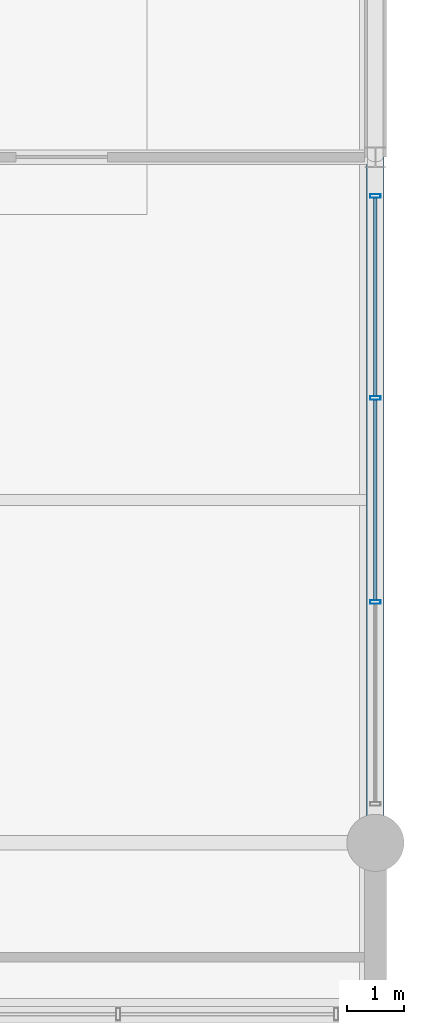
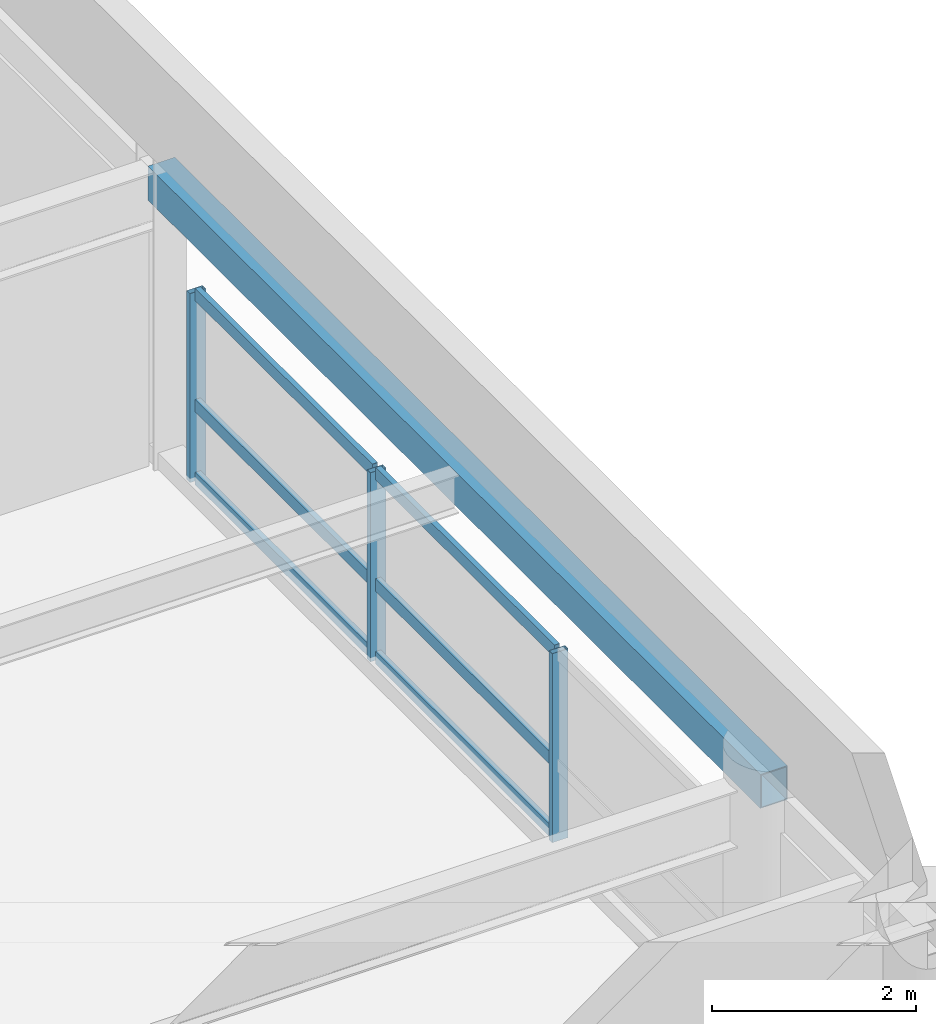
# One storey, part 76 of 108: 9 members, 1 beam, 1 element without a shape of its own.
"""IFC4 building model written with IfcOpenShell, lengths in metres."""

from ifc_helpers import new_model, si_unit, direction, frame, origin, origin_2d, place, context, subcontext, project, spatial, hollow_rectangle, extrude, material, material_profile, profile_set, type_object, element, aggregate, save


model = new_model("IFC4")

# Units and contexts
model_context = context("Model", 3, precision=1e-05, world=origin(), true_north=direction((0.0, 1.0)))
body_context = subcontext(model_context, "Body", "Model", "MODEL_VIEW")
ifc_project = project(units=[si_unit("LENGTHUNIT", "METRE"), si_unit("AREAUNIT", "SQUARE_METRE"), si_unit("VOLUMEUNIT", "CUBIC_METRE"), si_unit("PLANEANGLEUNIT", "RADIAN"), si_unit("MASSUNIT", "GRAM", prefix="KILO")], contexts=[model_context])

# Site, building, storey
site_placement = place(None, origin())
site = spatial("IfcSite", under=ifc_project, at=site_placement, CompositionType="ELEMENT")
building_placement = place(site_placement, origin())
building = spatial("IfcBuilding", under=site, at=building_placement, Name="Kaldorvane Square Convention Centre", CompositionType="ELEMENT")
storey_placement = place(building_placement, frame((0.0, 0.0, 23.399993896484375)))
storey = spatial("IfcBuildingStorey", under=building, at=storey_placement, Name="L04", CompositionType="ELEMENT", Elevation=23.399993896484375)

# Beam
ifc_material_1 = material(Name="Steel ASTM A500 Gr. C", Category="steel")
ifc_material_profile_1 = material_profile(ifc_material_1, hollow_rectangle(XDim=0.3047943115234375, YDim=0.406402587890625, WallThickness=0.0117950439453125, at=origin_2d()), Name="HSS16X12X1/2")
ifc_profile_set_1 = profile_set([ifc_material_profile_1], Name="Steel ASTM A500 Gr. C")
beam_type = type_object("IfcBeamType", Name="BM-SP-HSS16", PredefinedType="SPANDREL", material=ifc_profile_set_1)
beam_placement = place(storey_placement, frame((174.0, 84.0, 3.3227996826171875), z_axis=(0.0, 1.0, 0.0), x_axis=(-1.0, 0.0, 0.0)))
element("IfcBeam", 1, at=beam_placement, inside=storey, type_object=beam_type, Name="End Spandrel (L04)", PredefinedType="SPANDREL", context=body_context, shape_type="SweptSolid", body=[
    extrude(hollow_rectangle(XDim=0.3047943115234375, YDim=0.406402587890625, WallThickness=0.0117950439453125, at=origin_2d()), origin(), (0.0, 0.0, 1.0), 12.0),
])

# Curtain wall, members
ifc_material_2 = material(Name="Anodized Aluminum and Low-E Insulated Glazing", Category="aluminium")
curtain_wall_type = type_object("IfcCurtainWallType", Name="CW-UNI-P42-09", PredefinedType="USERDEFINED", material=ifc_material_2)
curtain_wall_placement = place(storey_placement, origin())
curtain_wall = element("IfcCurtainWall", 2, at=curtain_wall_placement, inside=storey, type_object=curtain_wall_type, Name="Curtain Wall CW-06 (L04)", ObjectType="UNITISED GLAZING", PredefinedType="USERDEFINED")
ifc_material_profile_2 = material_profile(ifc_material_2, hollow_rectangle(XDim=0.06500244140625, YDim=0.17999267578125, WallThickness=0.0034942626953125, at=origin_2d()), Name="CWM-180X65")
ifc_profile_set_2 = profile_set([ifc_material_profile_2], Name="Anodized Aluminum and Low-E Insulated Glazing")
member_type_1 = type_object("IfcMemberType", Name="CW-MUL-180", PredefinedType="MULLION", material=ifc_profile_set_2)
member_1_placement = place(storey_placement, frame((174.0, 88.21665954589844, 0.1500091552734375), z_axis=(0.0, 0.0, 1.0), x_axis=(0.0, 1.0, 0.0)))
member_1 = element("IfcMember", 3, at=member_1_placement, type_object=member_type_1, Name="CW-06 mullion 2", PredefinedType="MULLION", context=body_context, shape_type="SweptSolid", body=[
    extrude(hollow_rectangle(XDim=0.06500244140625, YDim=0.17999267578125, WallThickness=0.0034942626953125, at=origin_2d()), origin(), (0.0, 0.0, 1.0), 2.2599945068359375),
])
member_2_placement = place(storey_placement, frame((174.0, 91.78334045410156, 0.1500091552734375), z_axis=(0.0, 0.0, 1.0), x_axis=(0.0, 1.0, 0.0)))
member_2 = element("IfcMember", 4, at=member_2_placement, type_object=member_type_1, Name="CW-06 mullion 3", PredefinedType="MULLION", context=body_context, shape_type="SweptSolid", body=[
    extrude(hollow_rectangle(XDim=0.06500244140625, YDim=0.17999267578125, WallThickness=0.0034942626953125, at=origin_2d()), origin(), (0.0, 0.0, 1.0), 2.2599945068359375),
])
member_3_placement = place(storey_placement, frame((174.0, 95.3175048828125, 0.1500091552734375), z_axis=(0.0, 0.0, 1.0), x_axis=(0.0, 1.0, 0.0)))
member_3 = element("IfcMember", 5, at=member_3_placement, type_object=member_type_1, Name="CW-06 mullion 4", PredefinedType="MULLION", context=body_context, shape_type="SweptSolid", body=[
    extrude(hollow_rectangle(XDim=0.06500244140625, YDim=0.17999267578125, WallThickness=0.0034942626953125, at=origin_2d()), origin(), (0.0, 0.0, 1.0), 2.2599945068359375),
])
ifc_material_profile_3 = material_profile(ifc_material_2, hollow_rectangle(XDim=0.05999755859375, YDim=0.149993896484375, WallThickness=0.003204345703125, at=origin_2d()), Name="CWT-150X60")
ifc_profile_set_3 = profile_set([ifc_material_profile_3], Name="Anodized Aluminum and Low-E Insulated Glazing")
member_type_2 = type_object("IfcMemberType", Name="CW-TRN-150", PredefinedType="USERDEFINED", material=ifc_profile_set_3)
member_4_placement = place(storey_placement, frame((174.0, 88.24916076660156, 0.1800079345703125), z_axis=(0.0, 1.0, 0.0), x_axis=(-1.0, 0.0, 0.0)))
member_4 = element("IfcMember", 6, at=member_4_placement, type_object=member_type_2, Name="CW-06 transom 2.1", ObjectType="TRANSOM", PredefinedType="USERDEFINED", context=body_context, shape_type="SweptSolid", body=[
    extrude(hollow_rectangle(XDim=0.05999755859375, YDim=0.149993896484375, WallThickness=0.003204345703125, at=origin_2d()), origin(), (0.0, 0.0, 1.0), 3.501678466796875),
])
member_5_placement = place(storey_placement, frame((174.0, 88.24916076660156, 1.0500030517578125), z_axis=(0.0, 1.0, 0.0), x_axis=(-1.0, 0.0, 0.0)))
member_5 = element("IfcMember", 7, at=member_5_placement, type_object=member_type_2, Name="CW-06 transom 2.2", ObjectType="TRANSOM", PredefinedType="USERDEFINED", context=body_context, shape_type="SweptSolid", body=[
    extrude(hollow_rectangle(XDim=0.05999755859375, YDim=0.149993896484375, WallThickness=0.003204345703125, at=origin_2d()), origin(), (0.0, 0.0, 1.0), 3.501678466796875),
])
member_6_placement = place(storey_placement, frame((174.0, 88.24916076660156, 2.3800048828125), z_axis=(0.0, 1.0, 0.0), x_axis=(-1.0, 0.0, 0.0)))
member_6 = element("IfcMember", 8, at=member_6_placement, type_object=member_type_2, Name="CW-06 transom 2.3", ObjectType="TRANSOM", PredefinedType="USERDEFINED", context=body_context, shape_type="SweptSolid", body=[
    extrude(hollow_rectangle(XDim=0.05999755859375, YDim=0.149993896484375, WallThickness=0.003204345703125, at=origin_2d()), origin(), (0.0, 0.0, 1.0), 3.501678466796875),
])
member_7_placement = place(storey_placement, frame((174.0, 91.81582641601562, 0.1800079345703125), z_axis=(0.0, 1.0, 0.0), x_axis=(-1.0, 0.0, 0.0)))
member_7 = element("IfcMember", 9, at=member_7_placement, type_object=member_type_2, Name="CW-06 transom 3.1", ObjectType="TRANSOM", PredefinedType="USERDEFINED", context=body_context, shape_type="SweptSolid", body=[
    extrude(hollow_rectangle(XDim=0.05999755859375, YDim=0.149993896484375, WallThickness=0.003204345703125, at=origin_2d()), origin(), (0.0, 0.0, 1.0), 3.46917724609375),
])
member_8_placement = place(storey_placement, frame((174.0, 91.81582641601562, 1.0500030517578125), z_axis=(0.0, 1.0, 0.0), x_axis=(-1.0, 0.0, 0.0)))
member_8 = element("IfcMember", 10, at=member_8_placement, type_object=member_type_2, Name="CW-06 transom 3.2", ObjectType="TRANSOM", PredefinedType="USERDEFINED", context=body_context, shape_type="SweptSolid", body=[
    extrude(hollow_rectangle(XDim=0.05999755859375, YDim=0.149993896484375, WallThickness=0.003204345703125, at=origin_2d()), origin(), (0.0, 0.0, 1.0), 3.46917724609375),
])
member_9_placement = place(storey_placement, frame((174.0, 91.81582641601562, 2.3800048828125), z_axis=(0.0, 1.0, 0.0), x_axis=(-1.0, 0.0, 0.0)))
member_9 = element("IfcMember", 11, at=member_9_placement, type_object=member_type_2, Name="CW-06 transom 3.3", ObjectType="TRANSOM", PredefinedType="USERDEFINED", context=body_context, shape_type="SweptSolid", body=[
    extrude(hollow_rectangle(XDim=0.05999755859375, YDim=0.149993896484375, WallThickness=0.003204345703125, at=origin_2d()), origin(), (0.0, 0.0, 1.0), 3.46917724609375),
])
aggregate(curtain_wall, [member_1, member_2, member_3, member_4, member_5, member_6, member_7, member_8, member_9])

save(model, "model.ifc")
